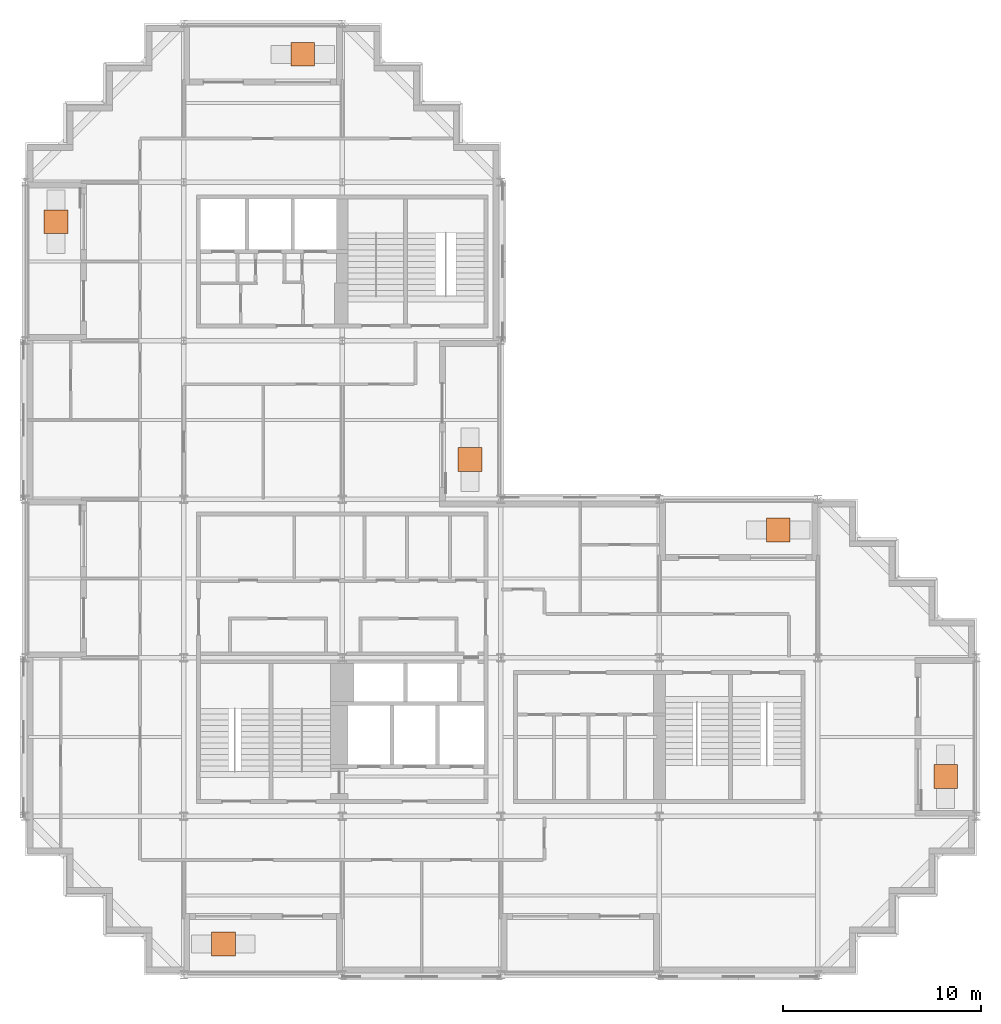
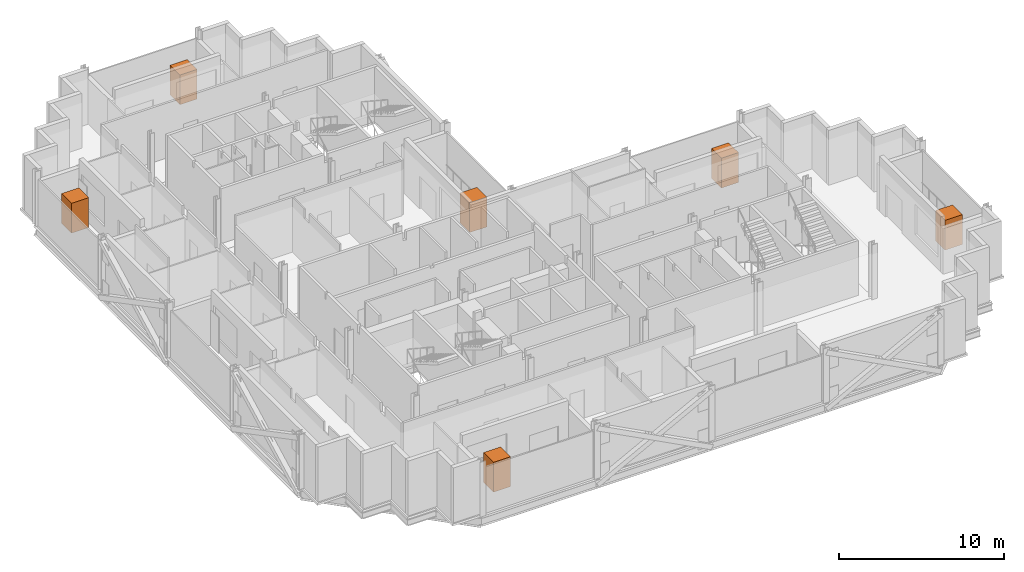
# One storey, part 13 of 13: 6 geographic elements.
"""IFC4 building model written with IfcOpenShell, lengths in metres."""

from ifc_helpers import new_model, si_unit, direction, frame, origin, origin_2d, place, context, subcontext, project, spatial, rectangle, extrude, material, type_object, element, save


model = new_model("IFC4")

# Units and contexts
model_context = context("Model", 3, precision=1e-05, world=origin(), true_north=direction((0.0, 1.0)))
body_context = subcontext(model_context, "Body", "Model", "MODEL_VIEW")
ifc_project = project(units=[si_unit("LENGTHUNIT", "METRE"), si_unit("AREAUNIT", "SQUARE_METRE"), si_unit("VOLUMEUNIT", "CUBIC_METRE"), si_unit("PLANEANGLEUNIT", "RADIAN"), si_unit("MASSUNIT", "GRAM", prefix="KILO")], contexts=[model_context])

# Site, building, storey
site_placement = place(None, origin())
site = spatial("IfcSite", under=ifc_project, at=site_placement, CompositionType="ELEMENT")
building_placement = place(site_placement, origin())
building = spatial("IfcBuilding", under=site, at=building_placement, Name="Immortelle Media Tower", CompositionType="ELEMENT")
storey_placement = place(building_placement, frame((0.0, 0.0, 166.199951171875)))
storey = spatial("IfcBuildingStorey", under=building, at=storey_placement, Name="L34", CompositionType="ELEMENT", Elevation=166.199951171875)

# Geographic elements
ifc_material = material(Name="Tree canopy foliage")
geographic_element_type = type_object("IfcGeographicElementType", Name="Tree", PredefinedType="USERDEFINED", material=ifc_material)
for number, where, z_axis, x_axis, name in (
    (1, (10.0, 1.550048828125, 0.60009765625), (0.0, 0.0, 1.0), (1.0, 0.0, 0.0), "Tree L34 S0"),
    (2, (46.449951171875, 10.0, 0.60009765625), (0.0, 0.0, 1.0), (1.0, 0.0, 0.0), "Tree L34 E0"),
    (3, (38.0, 22.449951171875, 0.60009765625), (0.0, 0.0, 1.0), (1.0, 0.0, 0.0), "Tree L34 N0"),
    (4, (22.449951171875, 26.0, 0.60009765625), (0.0, 0.0, 1.0), (1.0, 0.0, 0.0), "Tree L34 E0"),
    (5, (14.0, 46.449951171875, 0.60009765625), (0.0, 0.0, 1.0), (1.0, 0.0, 0.0), "Tree L34 N0"),
    (6, (1.550048828125, 38.0, 0.60009765625), (0.0, 0.0, 1.0), (1.0, 0.0, 0.0), "Tree L34 W0"),
):
    element("IfcGeographicElement", number, at=place(storey_placement, frame(where, z_axis=z_axis, x_axis=x_axis)), inside=storey, type_object=geographic_element_type, Name=name, ObjectType="Tree", PredefinedType="USERDEFINED", context=body_context, shape_type="SweptSolid", body=[
        extrude(rectangle(XDim=1.199951171875, YDim=1.199951171875, at=origin_2d()), origin(), (0.0, 0.0, 1.0), 2.199951171875),
    ])

save(model, "model.ifc")
